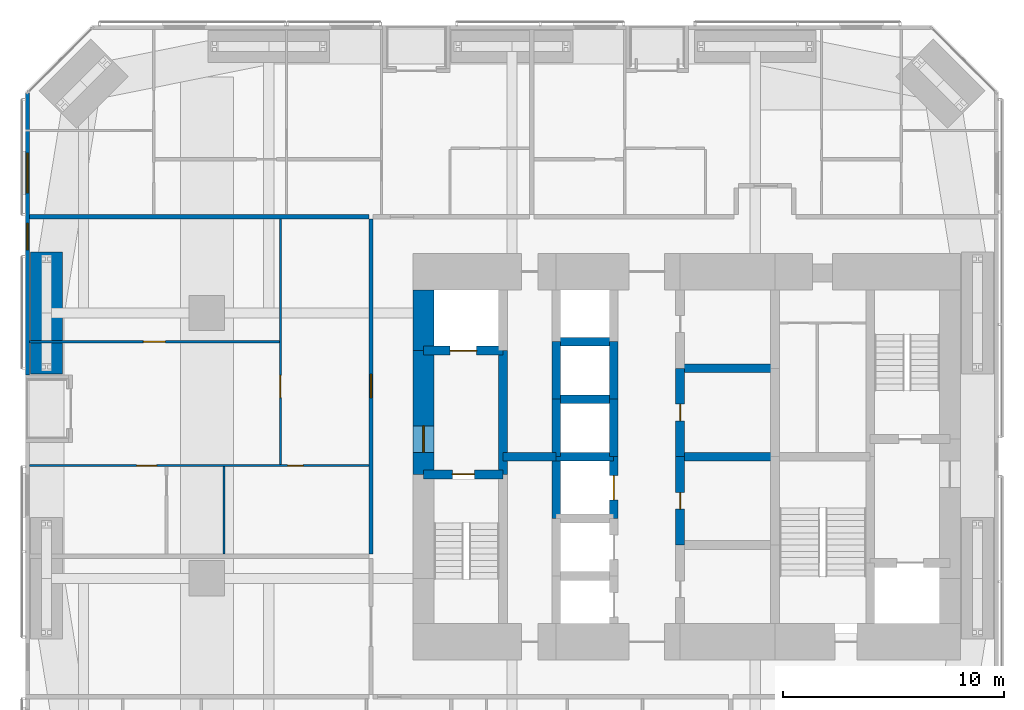
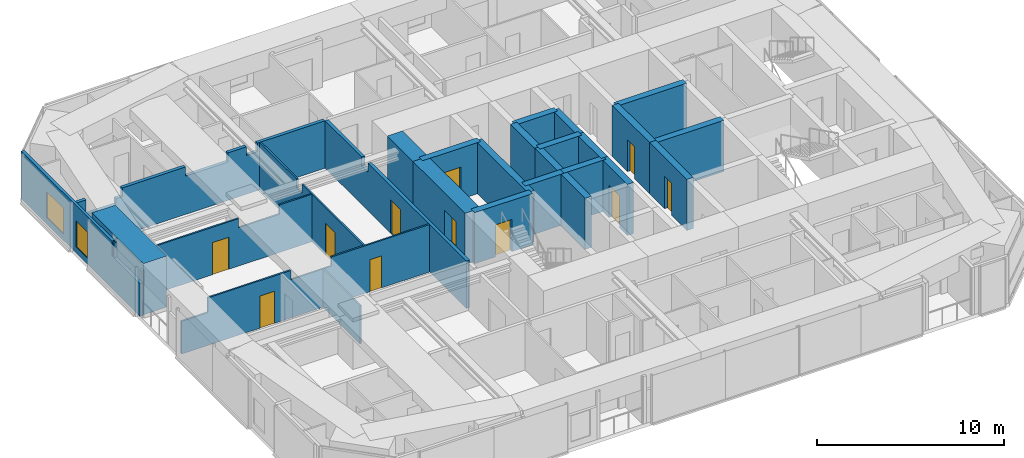
# One storey, part 17 of 22: 27 walls, 11 doors, 2 windows, 13 openings.
"""IFC4 building model written with IfcOpenShell, lengths in metres."""

from ifc_helpers import new_model, si_unit, direction, frame, frame_2d, origin, place, context, subcontext, project, spatial, polyline, rectangle, outline, extrude, material, layer, layer_set, constituent, constituent_set, type_object, element, fill, save


model = new_model("IFC4")

# Units and contexts
model_context = context("Model", 3, precision=1e-05, world=origin(), true_north=direction((0.0, 1.0)))
body_context = subcontext(model_context, "Body", "Model", "MODEL_VIEW")
ifc_project = project(units=[si_unit("LENGTHUNIT", "METRE"), si_unit("AREAUNIT", "SQUARE_METRE"), si_unit("VOLUMEUNIT", "CUBIC_METRE"), si_unit("PLANEANGLEUNIT", "RADIAN"), si_unit("MASSUNIT", "GRAM", prefix="KILO")], contexts=[model_context])

# Site, building, storey
site_placement = place(None, origin())
site = spatial("IfcSite", under=ifc_project, at=site_placement, CompositionType="ELEMENT")
building_placement = place(site_placement, origin())
building = spatial("IfcBuilding", under=site, at=building_placement, Name="Jalousie Tower", CompositionType="ELEMENT")
storey_placement = place(building_placement, frame((0.0, 0.0, 64.550048828125)))
storey = spatial("IfcBuildingStorey", under=building, at=storey_placement, Name="L17", CompositionType="ELEMENT", Elevation=64.550048828125)

# Walls
ifc_material_1 = material(Name="Concrete f'c 120 MPa", Category="concrete")
ifc_layer_1 = layer(ifc_material_1, 0.39990234375)
ifc_layer_set_1 = layer_set([ifc_layer_1], Name="Concrete f'c 120 MPa")
wall_type_1 = type_object("IfcWallType", Name="CORE WALL 400", PredefinedType="SHEAR", material=ifc_layer_set_1)
wall_1_placement = place(storey_placement, frame((23.60009765625, 17.699951171875, 0.0), z_axis=(0.0, 0.0, 1.0), x_axis=(0.0, 1.0, 0.0)))
element("IfcWall", 1, at=wall_1_placement, inside=storey, type_object=wall_type_1, Name="Core wall X23.6B L17", PredefinedType="SHEAR", context=body_context, shape_type="SweptSolid", body=[
    extrude(rectangle(XDim=5.60009765625, YDim=0.39990234375, at=frame_2d((2.800048828125, 0.0))), origin(), (0.0, 0.0, 1.0), 3.349853515625),
])
wall_2_placement = place(storey_placement, frame((26.0, 15.699951171875, 0.0), z_axis=(0.0, 0.0, 1.0), x_axis=(0.0, 1.0, 0.0)))
element("IfcWall", 2, at=wall_2_placement, inside=storey, type_object=wall_type_1, Name="Core wall X26C L17", PredefinedType="SHEAR", context=body_context, shape_type="SweptSolid", body=[
    extrude(rectangle(XDim=2.800048828125, YDim=0.39990234375, at=frame_2d((1.39990234375, 0.0))), origin(), (0.0, 0.0, 1.0), 3.349853515625),
])
wall_3_placement = place(storey_placement, frame((26.0, 18.5, 0.0), z_axis=(0.0, 0.0, 1.0), x_axis=(0.0, 1.0, 0.0)))
element("IfcWall", 3, at=wall_3_placement, inside=storey, type_object=wall_type_1, Name="Core wall X26D L17", PredefinedType="SHEAR", context=body_context, shape_type="SweptSolid", body=[
    extrude(rectangle(XDim=2.60009765625, YDim=0.39990234375, at=frame_2d((1.300048828125, 0.0))), origin(), (0.0, 0.0, 1.0), 3.349853515625),
])
wall_4_placement = place(storey_placement, frame((26.0, 21.10009765625, 0.0), z_axis=(0.0, 0.0, 1.0), x_axis=(0.0, 1.0, 0.0)))
element("IfcWall", 4, at=wall_4_placement, inside=storey, type_object=wall_type_1, Name="Core wall X26E L17", PredefinedType="SHEAR", context=body_context, shape_type="SweptSolid", body=[
    extrude(rectangle(XDim=2.599853515625, YDim=0.39990234375, at=frame_2d((1.2998046875, 0.0))), origin(), (0.0, 0.0, 1.0), 3.349853515625),
])

# Wall, opening, door
wall_5_placement = place(storey_placement, frame((28.60009765625, 15.699951171875, 0.0), z_axis=(0.0, 0.0, 1.0), x_axis=(0.0, 1.0, 0.0)))
wall_5 = element("IfcWall", 5, at=wall_5_placement, inside=storey, type_object=wall_type_1, Name="Core wall X28.6C L17", PredefinedType="SHEAR", context=body_context, shape_type="SweptSolid", body=[
    extrude(rectangle(XDim=2.800048828125, YDim=0.39990234375, at=frame_2d((1.39990234375, 0.0))), origin(), (0.0, 0.0, 1.0), 3.349853515625),
])
opening_1_placement = place(wall_5_placement, frame((0.85009765625, 0.0, 0.0)))
opening_1 = element("IfcOpeningElement", 6, at=opening_1_placement, cuts=wall_5, Name="Opening LD1", PredefinedType="OPENING", context=body_context, shape_type="SweptSolid", body=[
    extrude(rectangle(XDim=1.10009765625, YDim=2.10009765625, at=frame_2d((0.550048828125, 1.050048828125))), frame((0.0, 0.2099609375, 0.0), z_axis=(0.0, -1.0, 0.0), x_axis=(1.0, 0.0, 0.0)), (0.0, 0.0, 1.0), 0.419921875),
])
ifc_material_2 = material(Name="Steel lift landing door", Category="steel")
door_type_1 = type_object("IfcDoorType", Name="LIFT LANDING DOOR 1100", OperationType="SLIDING_TO_LEFT", PredefinedType="DOOR", material=ifc_material_2)
door_1_placement = place(opening_1_placement, origin())
door_1 = element("IfcDoor", 7, at=door_1_placement, inside=storey, type_object=door_type_1, Name="Lift P3 landing door", OperationType="SLIDING_TO_LEFT", OverallHeight=2.10009765625, OverallWidth=1.10009765625, PredefinedType="DOOR", context=body_context, shape_type="SweptSolid", body=[
    extrude(rectangle(XDim=1.10009765625, YDim=2.10009765625, at=frame_2d((0.550048828125, 1.050048828125))), frame((0.0, 0.02490234375, 0.0), z_axis=(0.0, -1.0, 0.0), x_axis=(1.0, 0.0, 0.0)), (0.0, 0.0, 1.0), 0.050048828125),
])
fill(opening_1, door_1)

# Walls
wall_6_placement = place(storey_placement, frame((28.60009765625, 18.5, 0.0), z_axis=(0.0, 0.0, 1.0), x_axis=(0.0, 1.0, 0.0)))
element("IfcWall", 8, at=wall_6_placement, inside=storey, type_object=wall_type_1, Name="Core wall X28.6D L17", PredefinedType="SHEAR", context=body_context, shape_type="SweptSolid", body=[
    extrude(rectangle(XDim=2.60009765625, YDim=0.39990234375, at=frame_2d((1.300048828125, 0.0))), origin(), (0.0, 0.0, 1.0), 3.349853515625),
])
wall_7_placement = place(storey_placement, frame((28.60009765625, 21.10009765625, 0.0), z_axis=(0.0, 0.0, 1.0), x_axis=(0.0, 1.0, 0.0)))
element("IfcWall", 9, at=wall_7_placement, inside=storey, type_object=wall_type_1, Name="Core wall X28.6E L17", PredefinedType="SHEAR", context=body_context, shape_type="SweptSolid", body=[
    extrude(rectangle(XDim=2.599853515625, YDim=0.39990234375, at=frame_2d((1.2998046875, 0.0))), origin(), (0.0, 0.0, 1.0), 3.349853515625),
])

# Wall, opening, door
wall_8_placement = place(storey_placement, frame((31.60009765625, 14.5, 0.0), z_axis=(0.0, 0.0, 1.0), x_axis=(0.0, 1.0, 0.0)))
wall_8 = element("IfcWall", 10, at=wall_8_placement, inside=storey, type_object=wall_type_1, Name="Core wall X31.6B L17", PredefinedType="SHEAR", context=body_context, shape_type="SweptSolid", body=[
    extrude(rectangle(XDim=4.0, YDim=0.39990234375, at=frame_2d((2.0, 0.0))), origin(), (0.0, 0.0, 1.0), 3.349853515625),
])
opening_2_placement = place(wall_8_placement, frame((1.625, 0.0, 0.0)))
opening_2 = element("IfcOpeningElement", 11, at=opening_2_placement, cuts=wall_8, Name="Opening D16", PredefinedType="OPENING", context=body_context, shape_type="SweptSolid", body=[
    extrude(rectangle(XDim=0.75, YDim=2.10009765625, at=frame_2d((0.375, 1.050048828125))), frame((0.0, 0.2099609375, 0.0), z_axis=(0.0, -1.0, 0.0), x_axis=(1.0, 0.0, 0.0)), (0.0, 0.0, 1.0), 0.419921875),
])
ifc_material_3 = material(Name="Steel fire door", Category="steel")
door_type_2 = type_object("IfcDoorType", Name="RISER DOOR 750", OperationType="SINGLE_SWING_LEFT", PredefinedType="DOOR", material=ifc_material_3)
door_2_placement = place(opening_2_placement, frame((0.75, 0.0, 0.0), z_axis=(0.0, 0.0, 1.0), x_axis=(-1.0, 0.0, 0.0)))
door_2 = element("IfcDoor", 12, at=door_2_placement, inside=storey, type_object=door_type_2, Name="Electrical Room door", OperationType="SINGLE_SWING_LEFT", OverallHeight=2.10009765625, OverallWidth=0.75, PredefinedType="DOOR", context=body_context, shape_type="SweptSolid", body=[
    extrude(rectangle(XDim=0.75, YDim=2.10009765625, at=frame_2d((0.375, 1.050048828125))), frame((0.0, 0.02490234375, 0.0), z_axis=(0.0, -1.0, 0.0), x_axis=(1.0, 0.0, 0.0)), (0.0, 0.0, 1.0), 0.050048828125),
])
fill(opening_2, door_2)

wall_9_placement = place(storey_placement, frame((31.60009765625, 18.5, 0.0), z_axis=(0.0, 0.0, 1.0), x_axis=(0.0, 1.0, 0.0)))
wall_9 = element("IfcWall", 13, at=wall_9_placement, inside=storey, type_object=wall_type_1, Name="Core wall X31.6C L17", PredefinedType="SHEAR", context=body_context, shape_type="SweptSolid", body=[
    extrude(rectangle(XDim=4.0, YDim=0.39990234375, at=frame_2d((2.0, 0.0))), origin(), (0.0, 0.0, 1.0), 3.349853515625),
])
opening_3_placement = place(wall_9_placement, frame((1.625, 0.0, 0.0)))
opening_3 = element("IfcOpeningElement", 14, at=opening_3_placement, cuts=wall_9, Name="Opening D16", PredefinedType="OPENING", context=body_context, shape_type="SweptSolid", body=[
    extrude(rectangle(XDim=0.75, YDim=2.10009765625, at=frame_2d((0.375, 1.050048828125))), frame((0.0, 0.2099609375, 0.0), z_axis=(0.0, -1.0, 0.0), x_axis=(1.0, 0.0, 0.0)), (0.0, 0.0, 1.0), 0.419921875),
])
door_3_placement = place(opening_3_placement, frame((0.75, 0.0, 0.0), z_axis=(0.0, 0.0, 1.0), x_axis=(-1.0, 0.0, 0.0)))
door_3 = element("IfcDoor", 15, at=door_3_placement, inside=storey, type_object=door_type_2, Name="Telecom Room door", OperationType="SINGLE_SWING_LEFT", OverallHeight=2.10009765625, OverallWidth=0.75, PredefinedType="DOOR", context=body_context, shape_type="SweptSolid", body=[
    extrude(rectangle(XDim=0.75, YDim=2.10009765625, at=frame_2d((0.375, 1.050048828125))), frame((0.0, 0.02490234375, 0.0), z_axis=(0.0, -1.0, 0.0), x_axis=(1.0, 0.0, 0.0)), (0.0, 0.0, 1.0), 0.050048828125),
])
fill(opening_3, door_3)

wall_10_placement = place(storey_placement, frame((20.0, 17.699951171875, 0.0), z_axis=(0.0, 0.0, 1.0), x_axis=(1.0, 0.0, 0.0)))
wall_10 = element("IfcWall", 16, at=wall_10_placement, inside=storey, type_object=wall_type_1, Name="Core wall Y20-17.7 L17", PredefinedType="SHEAR", context=body_context, shape_type="SweptSolid", body=[
    extrude(rectangle(XDim=3.60009765625, YDim=0.39990234375, at=frame_2d((1.800048828125, 0.0))), origin(), (0.0, 0.0, 1.0), 3.349853515625),
])
opening_4_placement = place(wall_10_placement, frame((1.300048828125, 0.0, 0.0)))
opening_4 = element("IfcOpeningElement", 17, at=opening_4_placement, cuts=wall_10, Name="Opening D10", PredefinedType="OPENING", context=body_context, shape_type="SweptSolid", body=[
    extrude(rectangle(XDim=1.0, YDim=2.10009765625, at=frame_2d((0.5, 1.050048828125))), frame((0.0, 0.2099609375, 0.0), z_axis=(0.0, -1.0, 0.0), x_axis=(1.0, 0.0, 0.0)), (0.0, 0.0, 1.0), 0.419921875),
])
ifc_material_4 = material(Name="Steel fire door", Category="steel")
door_type_3 = type_object("IfcDoorType", Name="STAIR DOOR 1000", OperationType="SINGLE_SWING_LEFT", PredefinedType="DOOR", material=ifc_material_4)
door_4_placement = place(opening_4_placement, frame((1.0, 0.0, 0.0), z_axis=(0.0, 0.0, 1.0), x_axis=(-1.0, 0.0, 0.0)))
door_4 = element("IfcDoor", 18, at=door_4_placement, inside=storey, type_object=door_type_3, Name="Exit stair A door", OperationType="SINGLE_SWING_RIGHT", OverallHeight=2.10009765625, OverallWidth=1.0, PredefinedType="DOOR", context=body_context, shape_type="SweptSolid", body=[
    extrude(rectangle(XDim=1.0, YDim=2.10009765625, at=frame_2d((0.5, 1.050048828125))), frame((0.0, 0.02490234375, 0.0), z_axis=(0.0, -1.0, 0.0), x_axis=(1.0, 0.0, 0.0)), (0.0, 0.0, 1.0), 0.050048828125),
])
fill(opening_4, door_4)

wall_11_placement = place(storey_placement, frame((20.0, 23.300048828125, 0.0), z_axis=(0.0, 0.0, 1.0), x_axis=(1.0, 0.0, 0.0)))
wall_11 = element("IfcWall", 19, at=wall_11_placement, inside=storey, type_object=wall_type_1, Name="Core wall Y20-23.3 L17", PredefinedType="SHEAR", context=body_context, shape_type="SweptSolid", body=[
    extrude(rectangle(XDim=3.60009765625, YDim=0.39990234375, at=frame_2d((1.800048828125, 0.0))), origin(), (0.0, 0.0, 1.0), 3.349853515625),
])
opening_5_placement = place(wall_11_placement, frame((1.199951171875, 0.0, 0.0)))
opening_5 = element("IfcOpeningElement", 20, at=opening_5_placement, cuts=wall_11, Name="Opening LD2", PredefinedType="OPENING", context=body_context, shape_type="SweptSolid", body=[
    extrude(rectangle(XDim=1.199951171875, YDim=2.10009765625, at=frame_2d((0.60009765625, 1.050048828125))), frame((0.0, 0.2099609375, 0.0), z_axis=(0.0, -1.0, 0.0), x_axis=(1.0, 0.0, 0.0)), (0.0, 0.0, 1.0), 0.419921875),
])
ifc_material_5 = material(Name="Steel lift landing door", Category="steel")
door_type_4 = type_object("IfcDoorType", Name="LIFT LANDING DOOR 1200", OperationType="SLIDING_TO_LEFT", PredefinedType="DOOR", material=ifc_material_5)
door_5_placement = place(opening_5_placement, origin())
door_5 = element("IfcDoor", 21, at=door_5_placement, inside=storey, type_object=door_type_4, Name="Lift F1 landing door", OperationType="SLIDING_TO_LEFT", OverallHeight=2.10009765625, OverallWidth=1.199951171875, PredefinedType="DOOR", context=body_context, shape_type="SweptSolid", body=[
    extrude(rectangle(XDim=1.199951171875, YDim=2.10009765625, at=frame_2d((0.60009765625, 1.050048828125))), frame((0.0, 0.02490234375, 0.0), z_axis=(0.0, -1.0, 0.0), x_axis=(1.0, 0.0, 0.0)), (0.0, 0.0, 1.0), 0.050048828125),
])
fill(opening_5, door_5)

# Walls
wall_12_placement = place(storey_placement, frame((23.60009765625, 18.5, 0.0), z_axis=(0.0, 0.0, 1.0), x_axis=(1.0, 0.0, 0.0)))
element("IfcWall", 22, at=wall_12_placement, inside=storey, type_object=wall_type_1, Name="Core wall Y23.6-18.5 L17", PredefinedType="SHEAR", context=body_context, shape_type="SweptSolid", body=[
    extrude(rectangle(XDim=2.39990234375, YDim=0.39990234375, at=frame_2d((1.199951171875, 0.0))), origin(), (0.0, 0.0, 1.0), 3.349853515625),
])
for number, where, z_axis, x_axis, name in (
    (23, (26.0, 18.5, 0.0), (0.0, 0.0, 1.0), (1.0, 0.0, 0.0), "Core wall Y26-18.5 L17"),
    (24, (26.0, 21.10009765625, 0.0), (0.0, 0.0, 1.0), (1.0, 0.0, 0.0), "Core wall Y26-21.1 L17"),
    (25, (26.0, 23.699951171875, 0.0), (0.0, 0.0, 1.0), (1.0, 0.0, 0.0), "Core wall Y26-23.7 L17"),
):
    element("IfcWall", number, at=place(storey_placement, frame(where, z_axis=z_axis, x_axis=x_axis)), inside=storey, type_object=wall_type_1, Name=name, PredefinedType="SHEAR", context=body_context, shape_type="SweptSolid", body=[
        extrude(rectangle(XDim=2.60009765625, YDim=0.39990234375, at=frame_2d((1.300048828125, 0.0))), origin(), (0.0, 0.0, 1.0), 3.349853515625),
    ])
for number, where, z_axis, x_axis, name in (
    (26, (31.60009765625, 18.5, 0.0), (0.0, 0.0, 1.0), (1.0, 0.0, 0.0), "Core wall Y31.6-18.5 L17"),
    (27, (31.60009765625, 22.5, 0.0), (0.0, 0.0, 1.0), (1.0, 0.0, 0.0), "Core wall Y31.6-22.5 L17"),
):
    element("IfcWall", number, at=place(storey_placement, frame(where, z_axis=z_axis, x_axis=x_axis)), inside=storey, type_object=wall_type_1, Name=name, PredefinedType="SHEAR", context=body_context, shape_type="SweptSolid", body=[
        extrude(rectangle(XDim=4.2998046875, YDim=0.39990234375, at=frame_2d((2.14990234375, 0.0))), origin(), (0.0, 0.0, 1.0), 3.349853515625),
    ])
ifc_material_6 = material(Name="Concrete f'c 120 MPa", Category="concrete")
ifc_layer_2 = layer(ifc_material_6, 0.949951171875)
ifc_layer_set_2 = layer_set([ifc_layer_2], Name="Concrete f'c 120 MPa")
wall_type_2 = type_object("IfcWallType", Name="CORE WALL 950", PredefinedType="SHEAR", material=ifc_layer_set_2)
wall_13_placement = place(storey_placement, frame((20.0, 26.050048828125, 0.0), z_axis=(0.0, 0.0, 1.0), x_axis=(0.0, -1.0, 0.0)))
element("IfcWall", 28, at=wall_13_placement, inside=storey, type_object=wall_type_2, Name="Core wall WA L17", PredefinedType="SHEAR", context=body_context, shape_type="SweptSolid", body=[
    extrude(rectangle(XDim=2.75, YDim=0.949951171875, at=frame_2d((1.375, 0.0))), origin(), (0.0, 0.0, 1.0), 3.349853515625),
])

# Wall, opening, door
wall_14_placement = place(storey_placement, frame((20.0, 23.300048828125, 0.0), z_axis=(0.0, 0.0, 1.0), x_axis=(0.0, -1.0, 0.0)))
wall_14 = element("IfcWall", 29, at=wall_14_placement, inside=storey, type_object=wall_type_2, Name="Core wall WB L17", PredefinedType="SHEAR", context=body_context, shape_type="SweptSolid", body=[
    extrude(rectangle(XDim=5.60009765625, YDim=0.949951171875, at=frame_2d((2.800048828125, 0.0))), origin(), (0.0, 0.0, 1.0), 3.349853515625),
])
opening_6_placement = place(wall_14_placement, frame((3.39990234375, 0.0, 0.0)))
opening_6 = element("IfcOpeningElement", 30, at=opening_6_placement, cuts=wall_14, Name="Opening D11", PredefinedType="OPENING", context=body_context, shape_type="SweptSolid", body=[
    extrude(rectangle(XDim=1.199951171875, YDim=2.199951171875, at=frame_2d((0.60009765625, 1.10009765625))), frame((0.0, 0.48486328125, 0.0), z_axis=(0.0, -1.0, 0.0), x_axis=(1.0, 0.0, 0.0)), (0.0, 0.0, 1.0), 0.969970703125),
])
ifc_material_7 = material(Name="Steel fire door", Category="steel")
door_type_5 = type_object("IfcDoorType", Name="FIRE DOOR 1200", OperationType="SINGLE_SWING_LEFT", PredefinedType="DOOR", material=ifc_material_7)
door_6_placement = place(opening_6_placement, origin())
door_6 = element("IfcDoor", 31, at=door_6_placement, inside=storey, type_object=door_type_5, Name="Fire-fighting lobby A door", OperationType="SINGLE_SWING_RIGHT", OverallHeight=2.199951171875, OverallWidth=1.199951171875, PredefinedType="DOOR", context=body_context, shape_type="SweptSolid", body=[
    extrude(rectangle(XDim=1.199951171875, YDim=2.199951171875, at=frame_2d((0.60009765625, 1.10009765625))), frame((0.0, 0.02490234375, 0.0), z_axis=(0.0, -1.0, 0.0), x_axis=(1.0, 0.0, 0.0)), (0.0, 0.0, 1.0), 0.050048828125),
])
fill(opening_6, door_6)

ifc_material_8 = material(Name="Concrete block ASTM C90", Category="concrete")
ifc_constituent_1 = constituent(ifc_material_8, Name="Body")
ifc_material_9 = material(Name="Render")
ifc_constituent_2 = constituent(ifc_material_9, Name="Finish")
ifc_constituent_set_1 = constituent_set(constituents=[ifc_constituent_1, ifc_constituent_2])
wall_type_3 = type_object("IfcWallType", Name="CORRIDOR WALL 200", PredefinedType="PARTITIONING", material=ifc_constituent_set_1)
wall_15_placement = place(storey_placement, frame((17.625, 14.10009765625, 0.0), z_axis=(0.0, 0.0, 1.0), x_axis=(0.0, 1.0, 0.0)))
wall_15 = element("IfcWall", 32, at=wall_15_placement, inside=storey, type_object=wall_type_3, Name="Corridor Wall 200 L17", PredefinedType="PARTITIONING", context=body_context, shape_type="SweptSolid", body=[
    extrude(outline(polyline([(0.0, 0.0), (15.14990234375, 0.0), (15.14990234375, 3.10986328125), (11.2373046875, 3.10986328125), (11.2373046875, 2.541015625), (10.5625, 2.541015625), (10.5625, 3.10986328125), (0.0, 3.10986328125), (0.0, 0.0)])), frame((0.0, 0.10009765625, 0.0), z_axis=(0.0, -1.0, 0.0), x_axis=(1.0, 0.0, 0.0)), (0.0, 0.0, 1.0), 0.199951171875),
])
opening_7_placement = place(wall_15_placement, frame((7.074951171875, 0.0, 0.0)))
opening_7 = element("IfcOpeningElement", 33, at=opening_7_placement, cuts=wall_15, Name="Opening D1", PredefinedType="OPENING", context=body_context, shape_type="SweptSolid", body=[
    extrude(rectangle(XDim=1.050048828125, YDim=2.199951171875, at=frame_2d((0.52490234375, 1.10009765625))), frame((0.0, 0.10986328125, 0.0), z_axis=(0.0, -1.0, 0.0), x_axis=(1.0, 0.0, 0.0)), (0.0, 0.0, 1.0), 0.219970703125),
])
ifc_material_10 = material(Name="Timber fire door", Category="wood")
door_type_6 = type_object("IfcDoorType", Name="APARTMENT ENTRANCE DOOR 1050", OperationType="SINGLE_SWING_LEFT", PredefinedType="DOOR", material=ifc_material_10)
door_7_placement = place(opening_7_placement, origin())
door_7 = element("IfcDoor", 34, at=door_7_placement, inside=storey, type_object=door_type_6, Name="Apartment 1705 entrance", OperationType="SINGLE_SWING_RIGHT", OverallHeight=2.199951171875, OverallWidth=1.050048828125, PredefinedType="DOOR", context=body_context, shape_type="SweptSolid", body=[
    extrude(rectangle(XDim=1.050048828125, YDim=2.199951171875, at=frame_2d((0.52490234375, 1.10009765625))), frame((0.0, 0.02490234375, 0.0), z_axis=(0.0, -1.0, 0.0), x_axis=(1.0, 0.0, 0.0)), (0.0, 0.0, 1.0), 0.050048828125),
])
fill(opening_7, door_7)

# Wall, openings, windows
ifc_material_11 = material(Name="Concrete f'c 40 MPa", Category="concrete")
ifc_constituent_3 = constituent(ifc_material_11, Name="Body")
ifc_material_12 = material(Name="Render, pastel coral")
ifc_constituent_4 = constituent(ifc_material_12, Name="Finish")
ifc_constituent_set_2 = constituent_set(constituents=[ifc_constituent_3, ifc_constituent_4])
wall_type_4 = type_object("IfcWallType", Name="EXTERNAL WALL 175 CORAL RENDER", PredefinedType="SOLIDWALL", material=ifc_constituent_set_2)
wall_16_placement = place(storey_placement, frame((2.08740234375, 34.94873046875, 0.0), z_axis=(0.0, 0.0, 1.0), x_axis=(0.0, -1.0, 0.0)))
wall_16 = element("IfcWall", 35, at=wall_16_placement, inside=storey, type_object=wall_type_4, Name="External Wall 175 Coral Render L17", PredefinedType="SOLIDWALL", context=body_context, shape_type="SweptSolid", body=[
    extrude(outline(polyline([(0.0, 0.0), (12.748779296875, 0.0), (12.748779296875, 2.14990234375), (9.94873046875, 2.14990234375), (9.94873046875, 3.10986328125), (9.822998046875, 3.10986328125), (9.822998046875, 2.14990234375), (9.72998046875, 2.14990234375), (9.72998046875, 3.10986328125), (0.0, 3.10986328125), (0.0, 0.0)])), frame((0.0, 0.08740234375, 0.0), z_axis=(0.0, -1.0, 0.0), x_axis=(1.0, 0.0, 0.0)), (0.0, 0.0, 1.0), 0.175048828125),
])
opening_8_placement = place(wall_16_placement, frame((2.72216796875, 0.0, 0.39990234375)))
opening_8 = element("IfcOpeningElement", 36, at=opening_8_placement, cuts=wall_16, Name="Opening W-BED170", PredefinedType="OPENING", context=body_context, shape_type="SweptSolid", body=[
    extrude(rectangle(XDim=1.800048828125, YDim=1.699951171875, at=frame_2d((0.89990234375, 0.85009765625))), frame((0.0, 0.097412109375, 0.0), z_axis=(0.0, -1.0, 0.0), x_axis=(1.0, 0.0, 0.0)), (0.0, 0.0, 1.0), 0.195068359375),
])
opening_9_placement = place(wall_16_placement, frame((5.898681640625, 0.0, 0.39990234375)))
opening_9 = element("IfcOpeningElement", 37, at=opening_9_placement, cuts=wall_16, Name="Opening W-COR170", PredefinedType="OPENING", context=body_context, shape_type="SweptSolid", body=[
    extrude(rectangle(XDim=1.199951171875, YDim=1.699951171875, at=frame_2d((0.60009765625, 0.85009765625))), frame((0.0, 0.097412109375, 0.0), z_axis=(0.0, -1.0, 0.0), x_axis=(1.0, 0.0, 0.0)), (0.0, 0.0, 1.0), 0.195068359375),
])
ifc_material_13 = material(Name="Aluminium frame, impact-rated glazing", Category="aluminium")
window_type_1 = type_object("IfcWindowType", Name="WINDOW BED 1800x1700", PartitioningType="SINGLE_PANEL", PredefinedType="WINDOW", material=ifc_material_13)
window_1_placement = place(opening_8_placement, origin())
window_1 = element("IfcWindow", 38, at=window_1_placement, inside=storey, type_object=window_type_1, Name="Apartment 1703 bedroom 1 window", OverallHeight=1.699951171875, OverallWidth=1.800048828125, PartitioningType="SINGLE_PANEL", PredefinedType="WINDOW", context=body_context, shape_type="SweptSolid", body=[
    extrude(rectangle(XDim=1.800048828125, YDim=1.699951171875, at=frame_2d((0.89990234375, 0.85009765625))), frame((0.0, 0.030029296875, 0.0), z_axis=(0.0, -1.0, 0.0), x_axis=(1.0, 0.0, 0.0)), (0.0, 0.0, 1.0), 0.06005859375),
])
fill(opening_8, window_1)
ifc_material_14 = material(Name="Aluminium frame, impact-rated glazing", Category="aluminium")
window_type_2 = type_object("IfcWindowType", Name="WINDOW COR 1200x1700", PartitioningType="SINGLE_PANEL", PredefinedType="WINDOW", material=ifc_material_14)
window_2_placement = place(opening_9_placement, origin())
window_2 = element("IfcWindow", 39, at=window_2_placement, inside=storey, type_object=window_type_2, Name="Apartment 1705 dining room window", OverallHeight=1.699951171875, OverallWidth=1.199951171875, PartitioningType="SINGLE_PANEL", PredefinedType="WINDOW", context=body_context, shape_type="SweptSolid", body=[
    extrude(rectangle(XDim=1.199951171875, YDim=1.699951171875, at=frame_2d((0.60009765625, 0.85009765625))), frame((0.0, 0.030029296875, 0.0), z_axis=(0.0, -1.0, 0.0), x_axis=(1.0, 0.0, 0.0)), (0.0, 0.0, 1.0), 0.06005859375),
])
fill(opening_9, window_2)

# Wall, openings, doors
ifc_material_15 = material(Name="Gypsum board", Category="gypsum")
ifc_constituent_5 = constituent(ifc_material_15, Name="Body")
ifc_material_16 = material(Name="Light-gauge steel studs ASTM A653 SS Grade 33", Category="steel")
ifc_constituent_6 = constituent(ifc_material_16, Name="Framing")
ifc_constituent_set_3 = constituent_set(constituents=[ifc_constituent_5, ifc_constituent_6])
wall_type_5 = type_object("IfcWallType", Name="PARTITION 100", PredefinedType="PARTITIONING", material=ifc_constituent_set_3)
wall_17_placement = place(storey_placement, frame((2.175048828125, 18.10009765625, 0.0), z_axis=(0.0, 0.0, 1.0), x_axis=(1.0, 0.0, 0.0)))
wall_17 = element("IfcWall", 40, at=wall_17_placement, inside=storey, type_object=wall_type_5, Name="Partition 100 L17", PredefinedType="PARTITIONING", context=body_context, shape_type="SweptSolid", body=[
    extrude(outline(polyline([(0.0, 0.0), (15.349853515625, 0.0), (15.35009765625, 3.10986328125), (9.284912109375, 3.10986328125), (9.284912109375, 2.510009765625), (6.764892578125, 2.510009765625), (6.764892578125, 3.10986328125), (1.635009765625, 3.10986328125), (1.635009765625, 2.14990234375), (0.0, 2.14990234375), (0.0, 3.10986328125), (0.0, 0.0)])), frame((0.0, 0.050048828125, 0.0), z_axis=(0.0, -1.0, 0.0), x_axis=(1.0, 0.0, 0.0)), (0.0, 0.0, 1.0), 0.10009765625),
])
opening_10_placement = place(wall_17_placement, frame((4.85009765625, 0.0, 0.0)))
opening_10 = element("IfcOpeningElement", 41, at=opening_10_placement, cuts=wall_17, Name="Opening D2", PredefinedType="OPENING", context=body_context, shape_type="SweptSolid", body=[
    extrude(rectangle(XDim=0.89990234375, YDim=2.10009765625, at=frame_2d((0.449951171875, 1.050048828125))), frame((0.0, 0.06005859375, 0.0), z_axis=(0.0, -1.0, 0.0), x_axis=(1.0, 0.0, 0.0)), (0.0, 0.0, 1.0), 0.1201171875),
])
opening_11_placement = place(wall_17_placement, frame((11.675048828125, 0.0, 0.0)))
opening_11 = element("IfcOpeningElement", 42, at=opening_11_placement, cuts=wall_17, Name="Opening D4", PredefinedType="OPENING", context=body_context, shape_type="SweptSolid", body=[
    extrude(rectangle(XDim=0.699951171875, YDim=2.10009765625, at=frame_2d((0.35009765625, 1.050048828125))), frame((0.0, 0.06005859375, 0.0), z_axis=(0.0, -1.0, 0.0), x_axis=(1.0, 0.0, 0.0)), (0.0, 0.0, 1.0), 0.1201171875),
])
ifc_material_17 = material(Name="Timber door", Category="wood")
door_type_7 = type_object("IfcDoorType", Name="BEDROOM DOOR 900", OperationType="SINGLE_SWING_LEFT", PredefinedType="DOOR", material=ifc_material_17)
door_8_placement = place(opening_10_placement, frame((0.89990234375, 0.0, 0.0), z_axis=(0.0, 0.0, 1.0), x_axis=(-1.0, 0.0, 0.0)))
door_8 = element("IfcDoor", 43, at=door_8_placement, inside=storey, type_object=door_type_7, Name="Apartment 1705 bedroom 1 door", OperationType="SINGLE_SWING_LEFT", OverallHeight=2.10009765625, OverallWidth=0.89990234375, PredefinedType="DOOR", context=body_context, shape_type="SweptSolid", body=[
    extrude(rectangle(XDim=0.89990234375, YDim=2.10009765625, at=frame_2d((0.449951171875, 1.050048828125))), frame((0.0, 0.02490234375, 0.0), z_axis=(0.0, -1.0, 0.0), x_axis=(1.0, 0.0, 0.0)), (0.0, 0.0, 1.0), 0.050048828125),
])
fill(opening_10, door_8)
ifc_material_18 = material(Name="Timber door", Category="wood")
door_type_8 = type_object("IfcDoorType", Name="STORE DOOR 700", OperationType="SINGLE_SWING_LEFT", PredefinedType="DOOR", material=ifc_material_18)
door_9_placement = place(opening_11_placement, frame((0.699951171875, 0.0, 0.0), z_axis=(0.0, 0.0, 1.0), x_axis=(-1.0, 0.0, 0.0)))
door_9 = element("IfcDoor", 44, at=door_9_placement, inside=storey, type_object=door_type_8, Name="Apartment 1705 store door", OperationType="SINGLE_SWING_RIGHT", OverallHeight=2.10009765625, OverallWidth=0.699951171875, PredefinedType="DOOR", context=body_context, shape_type="SweptSolid", body=[
    extrude(rectangle(XDim=0.699951171875, YDim=2.10009765625, at=frame_2d((0.35009765625, 1.050048828125))), frame((0.0, 0.02490234375, 0.0), z_axis=(0.0, -1.0, 0.0), x_axis=(1.0, 0.0, 0.0)), (0.0, 0.0, 1.0), 0.050048828125),
])
fill(opening_11, door_9)

# Wall
wall_18_placement = place(storey_placement, frame((10.97509765625, 14.10009765625, 0.0), z_axis=(0.0, 0.0, 1.0), x_axis=(0.0, 1.0, 0.0)))
element("IfcWall", 45, at=wall_18_placement, inside=storey, type_object=wall_type_5, Name="Partition 100 L17", PredefinedType="PARTITIONING", context=body_context, shape_type="SweptSolid", body=[
    extrude(outline(polyline([(0.0, 0.0), (3.949951171875, 0.0), (3.949951171875, 3.10986328125), (3.949951171875, 2.510009765625), (0.0, 2.510009765625), (0.0, 3.10986328125), (0.0, 0.0)])), frame((0.0, 0.050048828125, 0.0), z_axis=(0.0, -1.0, 0.0), x_axis=(1.0, 0.0, 0.0)), (0.0, 0.0, 1.0), 0.10009765625),
])

# Wall, opening, door
wall_19_placement = place(storey_placement, frame((13.52490234375, 18.14990234375, 0.0), z_axis=(0.0, 0.0, 1.0), x_axis=(0.0, 1.0, 0.0)))
wall_19 = element("IfcWall", 46, at=wall_19_placement, inside=storey, type_object=wall_type_5, Name="Partition 100 L17", PredefinedType="PARTITIONING", context=body_context, shape_type="SweptSolid", body=[
    extrude(outline(polyline([(0.0, 0.0), (11.10009765625, 0.0), (11.10009765625, 3.10986328125), (7.137451171875, 3.10986328125), (7.137451171875, 2.541015625), (6.562744140625, 2.541015625), (6.562744140625, 3.10986328125), (0.0, 3.10986328125), (0.0, 0.0)])), frame((0.0, 0.050048828125, 0.0), z_axis=(0.0, -1.0, 0.0), x_axis=(1.0, 0.0, 0.0)), (0.0, 0.0, 1.0), 0.10009765625),
])
opening_12_placement = place(wall_19_placement, frame((3.02490234375, 0.0, 0.0)))
opening_12 = element("IfcOpeningElement", 47, at=opening_12_placement, cuts=wall_19, Name="Opening D6", PredefinedType="OPENING", context=body_context, shape_type="SweptSolid", body=[
    extrude(rectangle(XDim=1.0, YDim=2.10009765625, at=frame_2d((0.5, 1.050048828125))), frame((0.0, 0.06005859375, 0.0), z_axis=(0.0, -1.0, 0.0), x_axis=(1.0, 0.0, 0.0)), (0.0, 0.0, 1.0), 0.1201171875),
])
ifc_material_19 = material(Name="Timber door", Category="wood")
door_type_9 = type_object("IfcDoorType", Name="INTERNAL DOOR 1000", OperationType="SINGLE_SWING_LEFT", PredefinedType="DOOR", material=ifc_material_19)
door_10_placement = place(opening_12_placement, origin())
door_10 = element("IfcDoor", 48, at=door_10_placement, inside=storey, type_object=door_type_9, Name="Apartment 1705 living room door", OperationType="SINGLE_SWING_RIGHT", OverallHeight=2.10009765625, OverallWidth=1.0, PredefinedType="DOOR", context=body_context, shape_type="SweptSolid", body=[
    extrude(rectangle(XDim=1.0, YDim=2.10009765625, at=frame_2d((0.5, 1.050048828125))), frame((0.0, 0.02490234375, 0.0), z_axis=(0.0, -1.0, 0.0), x_axis=(1.0, 0.0, 0.0)), (0.0, 0.0, 1.0), 0.050048828125),
])
fill(opening_12, door_10)

wall_20_placement = place(storey_placement, frame((2.175048828125, 23.699951171875, 0.0), z_axis=(0.0, 0.0, 1.0), x_axis=(1.0, 0.0, 0.0)))
wall_20 = element("IfcWall", 49, at=wall_20_placement, inside=storey, type_object=wall_type_5, Name="Partition 100 L17", PredefinedType="PARTITIONING", context=body_context, shape_type="SweptSolid", body=[
    extrude(outline(polyline([(0.52880859375, 2.14990234375), (0.0, 2.14990234375), (0.0, 0.0), (0.52880859375, 0.0), (0.52880859375, 0.5810546875), (1.021240234375, 0.5810546875), (1.021240234375, 0.0), (11.300048828125, 0.0), (11.300048828125, 3.10986328125), (9.284912109375, 3.10986328125), (9.284912109375, 2.510009765625), (6.764892578125, 2.510009765625), (6.764892578125, 3.10986328125), (1.635009765625, 3.10986328125), (1.635009765625, 2.14990234375), (1.021240234375, 2.14990234375), (1.021240234375, 1.56884765625), (0.52880859375, 1.56884765625), (0.52880859375, 2.14990234375)])), frame((0.0, 0.050048828125, 0.0), z_axis=(0.0, -1.0, 0.0), x_axis=(1.0, 0.0, 0.0)), (0.0, 0.0, 1.0), 0.10009765625),
])
opening_13_placement = place(wall_20_placement, frame((5.14990234375, 0.0, 0.0)))
opening_13 = element("IfcOpeningElement", 50, at=opening_13_placement, cuts=wall_20, Name="Opening D6", PredefinedType="OPENING", context=body_context, shape_type="SweptSolid", body=[
    extrude(rectangle(XDim=1.0, YDim=2.10009765625, at=frame_2d((0.5, 1.050048828125))), frame((0.0, 0.06005859375, 0.0), z_axis=(0.0, -1.0, 0.0), x_axis=(1.0, 0.0, 0.0)), (0.0, 0.0, 1.0), 0.1201171875),
])
door_11_placement = place(opening_13_placement, origin())
door_11 = element("IfcDoor", 51, at=door_11_placement, inside=storey, type_object=door_type_9, Name="Apartment 1705 dining room door", OperationType="SINGLE_SWING_LEFT", OverallHeight=2.10009765625, OverallWidth=1.0, PredefinedType="DOOR", context=body_context, shape_type="SweptSolid", body=[
    extrude(rectangle(XDim=1.0, YDim=2.10009765625, at=frame_2d((0.5, 1.050048828125))), frame((0.0, 0.02490234375, 0.0), z_axis=(0.0, -1.0, 0.0), x_axis=(1.0, 0.0, 0.0)), (0.0, 0.0, 1.0), 0.050048828125),
])
fill(opening_13, door_11)

# Walls
ifc_material_20 = material(Name="Concrete block ASTM C90", Category="concrete")
ifc_constituent_7 = constituent(ifc_material_20, Name="Body")
ifc_material_21 = material(Name="Render")
ifc_constituent_8 = constituent(ifc_material_21, Name="Finish")
ifc_constituent_set_4 = constituent_set(constituents=[ifc_constituent_7, ifc_constituent_8])
wall_type_6 = type_object("IfcWallType", Name="PARTY WALL 200", PredefinedType="PARTITIONING", material=ifc_constituent_set_4)
wall_21_placement = place(storey_placement, frame((2.0, 29.35009765625, 0.0), z_axis=(0.0, 0.0, 1.0), x_axis=(1.0, 0.0, 0.0)))
element("IfcWall", 52, at=wall_21_placement, inside=storey, type_object=wall_type_6, Name="Party Wall 200 L17", PredefinedType="PARTITIONING", context=body_context, shape_type="SweptSolid", body=[
    extrude(outline(polyline([(0.0, 0.0), (15.52490234375, 0.0), (15.52490234375, 3.10986328125), (11.33740234375, 3.10986328125), (11.33740234375, 2.541015625), (10.66259765625, 2.541015625), (10.66259765625, 3.10986328125), (9.510009765625, 3.10986328125), (9.510009765625, 2.510009765625), (6.889892578125, 2.510009765625), (6.889892578125, 3.10986328125), (2.96875, 3.10986328125), (2.96875, 2.541015625), (2.577392578125, 2.541015625), (2.577392578125, 2.14990234375), (0.7333984375, 2.14990234375), (0.7333984375, 3.10986328125), (0.0, 3.10986328125), (0.0, 0.0)])), frame((0.0, 0.10009765625, 0.0), z_axis=(0.0, -1.0, 0.0), x_axis=(1.0, 0.0, 0.0)), (0.0, 0.0, 1.0), 0.199951171875),
])
ifc_material_22 = material(Name="Concrete f'c 120 MPa", Category="concrete")
ifc_layer_3 = layer(ifc_material_22, 1.449951171875)
ifc_layer_set_3 = layer_set([ifc_layer_3], Name="Concrete f'c 120 MPa")
wall_type_7 = type_object("IfcWallType", Name="RC WALL PIER 1450", PredefinedType="SHEAR", material=ifc_layer_set_3)
wall_22_placement = place(storey_placement, frame((2.949951171875, 22.25, 0.0), z_axis=(0.0, 0.0, 1.0), x_axis=(0.0, 1.0, 0.0)))
element("IfcWall", 53, at=wall_22_placement, inside=storey, type_object=wall_type_7, Name="Wall pier 13 L17", PredefinedType="SHEAR", context=body_context, shape_type="SweptSolid", body=[
    extrude(rectangle(XDim=5.5, YDim=1.449951171875, at=frame_2d((2.75, 0.0))), origin(), (0.0, 0.0, 1.0), 3.349853515625),
])

save(model, "model.ifc")
